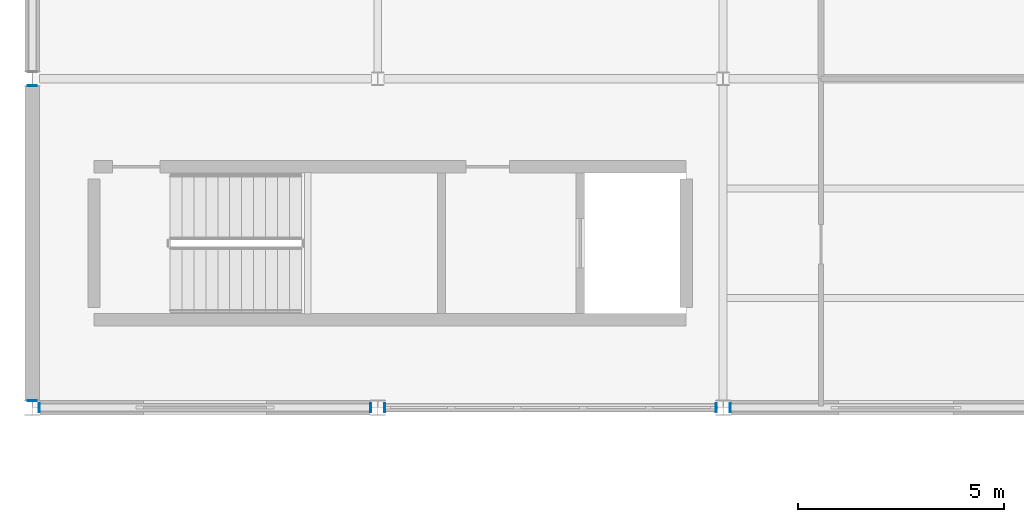
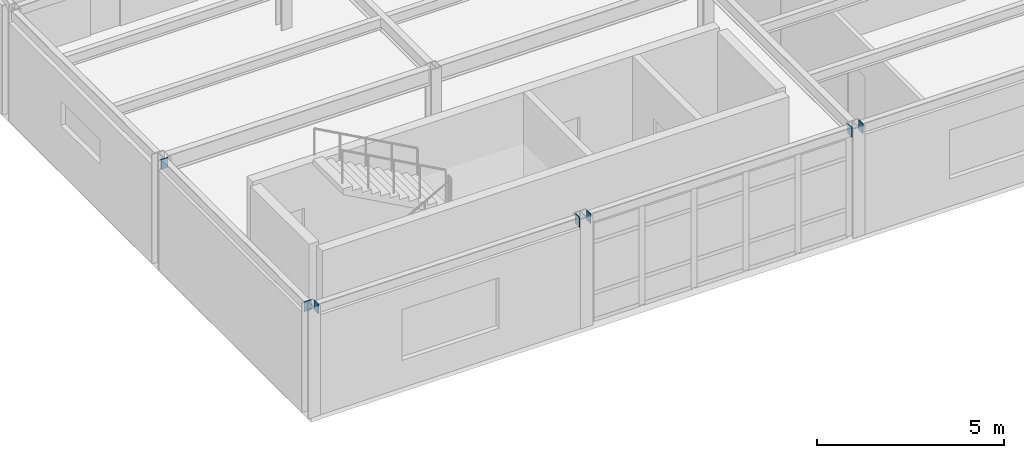
# One storey, part 56 of 96: 7 discrete accessories.
"""IFC4 building model written with IfcOpenShell, lengths in metres."""

from ifc_helpers import new_model, si_unit, direction, frame, origin, origin_2d, place, context, subcontext, project, spatial, rectangle, extrude, material, layer, layer_set, type_object, element, save


model = new_model("IFC4")

# Units and contexts
model_context = context("Model", 3, precision=1e-05, world=origin(), true_north=direction((0.0, 1.0)))
body_context = subcontext(model_context, "Body", "Model", "MODEL_VIEW")
ifc_project = project(units=[si_unit("LENGTHUNIT", "METRE"), si_unit("AREAUNIT", "SQUARE_METRE"), si_unit("VOLUMEUNIT", "CUBIC_METRE"), si_unit("PLANEANGLEUNIT", "RADIAN"), si_unit("MASSUNIT", "GRAM", prefix="KILO")], contexts=[model_context])

# Site, building, storey
site_placement = place(None, origin())
site = spatial("IfcSite", under=ifc_project, at=site_placement, CompositionType="ELEMENT")
building_placement = place(site_placement, origin())
building = spatial("IfcBuilding", under=site, at=building_placement, Name="Kranzveld Transit Interchange", CompositionType="ELEMENT")
storey_placement = place(building_placement, frame((0.0, 0.0, 9.52001953125)))
storey = spatial("IfcBuildingStorey", under=building, at=storey_placement, Name="L02", CompositionType="ELEMENT", Elevation=9.52001953125)

# Discrete accessories
ifc_material = material(Name="Steel S355JR", Category="steel")
ifc_layer = layer(ifc_material, 0.02001953125)
ifc_layer_set = layer_set([ifc_layer], Name="Steel S355JR")
discrete_accessory_type = type_object("IfcDiscreteAccessoryType", Name="Hollow Section End Cap Bracket 20 S355JR", PredefinedType="BRACKET", material=ifc_layer_set)
for number, where, z_axis, x_axis, name in (
    (1, (0.181396484375, 16.0, 3.419921875), (-1.0, 0.0, 0.0), (0.0, -1.0, 0.0), "Hollow Section End Cap SP-RHS300-1"),
    (2, (8.21875, 16.0, 3.419921875), (1.0, 0.0, 0.0), (0.0, 1.0, 0.0), "Hollow Section End Cap SP-RHS300-2"),
    (3, (8.581298828125, 16.0, 3.419921875), (-1.0, 0.0, 0.0), (0.0, -1.0, 0.0), "Hollow Section End Cap SP-RHS300-1"),
    (4, (16.61865234375, 16.0, 3.419921875), (1.0, 0.0, 0.0), (0.0, 1.0, 0.0), "Hollow Section End Cap SP-RHS300-2"),
    (5, (16.981201171875, 16.0, 3.419921875), (-1.0, 0.0, 0.0), (0.0, -1.0, 0.0), "Hollow Section End Cap SP-RHS300-1"),
    (6, (0.0, 16.181396484375, 3.419921875), (0.0, -1.0, 0.0), (1.0, 0.0, 0.0), "Hollow Section End Cap SP-RHS300-1"),
    (7, (0.0, 23.818603515625, 3.419921875), (0.0, 1.0, 0.0), (-1.0, 0.0, 0.0), "Hollow Section End Cap SP-RHS300-2"),
):
    element("IfcDiscreteAccessory", number, at=place(storey_placement, frame(where, z_axis=z_axis, x_axis=x_axis)), inside=storey, type_object=discrete_accessory_type, Name=name, PredefinedType="BRACKET", context=body_context, shape_type="SweptSolid", body=[
        extrude(rectangle(XDim=0.22412109375, YDim=0.323974609375, at=origin_2d()), origin(), (0.0, 0.0, 1.0), 0.02001953125),
    ])

save(model, "model.ifc")
